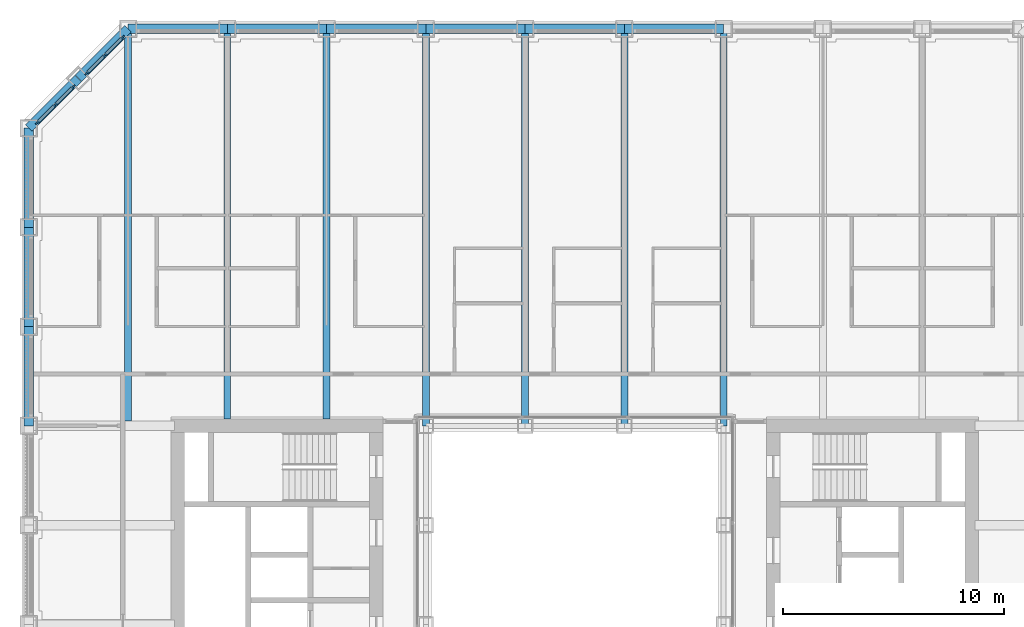
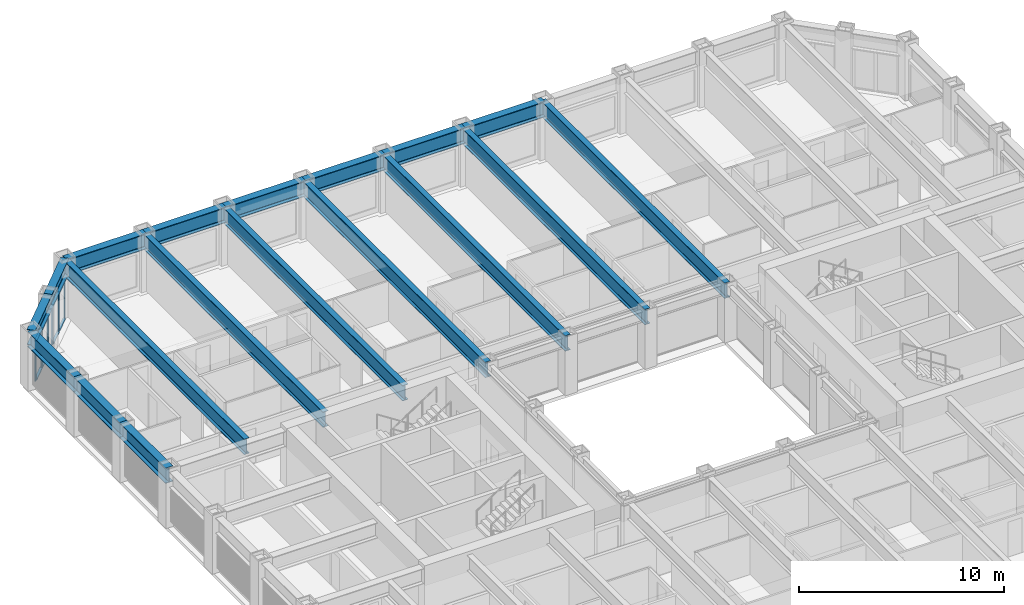
# One storey, part 6 of 21: 18 beams, 14 members, 2 elements without a shape of their own.
"""IFC4 building model written with IfcOpenShell, lengths in metres."""

from ifc_helpers import new_model, si_unit, direction, frame, origin, origin_2d, place, context, subcontext, project, spatial, rectangle, i_section, extrude, material, material_profile, profile_set, type_object, element, aggregate, save


model = new_model("IFC4")

# Units and contexts
model_context = context("Model", 3, precision=1e-05, world=origin(), true_north=direction((0.0, 1.0)))
body_context = subcontext(model_context, "Body", "Model", "MODEL_VIEW")
ifc_project = project(units=[si_unit("LENGTHUNIT", "METRE"), si_unit("AREAUNIT", "SQUARE_METRE"), si_unit("VOLUMEUNIT", "CUBIC_METRE"), si_unit("PLANEANGLEUNIT", "RADIAN"), si_unit("MASSUNIT", "GRAM", prefix="KILO")], contexts=[model_context])

# Site, building, storey
site_placement = place(None, origin())
site = spatial("IfcSite", under=ifc_project, at=site_placement, CompositionType="ELEMENT")
building_placement = place(site_placement, origin())
building = spatial("IfcBuilding", under=site, at=building_placement, Name="Msasa Ring Tower", CompositionType="ELEMENT")
storey_placement = place(building_placement, frame((0.0, 0.0, 44.0)))
storey = spatial("IfcBuildingStorey", under=building, at=storey_placement, Name="L10", CompositionType="ELEMENT", Elevation=44.0)

# Curtain wall, members
ifc_material_1 = material(Name="Aluminium curtain wall with clear glass", Category="aluminium")
curtain_wall_type = type_object("IfcCurtainWallType", Name="CW-C CHAMFER CORNER CURTAIN WALL", PredefinedType="NOTDEFINED", material=ifc_material_1)
curtain_wall_1_placement = place(storey_placement, origin())
curtain_wall_1 = element("IfcCurtainWall", 1, at=curtain_wall_1_placement, inside=storey, type_object=curtain_wall_type, Name="Chamfer corner curtain wall NW L10", PredefinedType="NOTDEFINED")
ifc_material_2 = material(Name="Aluminium mullion", Category="aluminium")
ifc_material_profile_1 = material_profile(ifc_material_2, rectangle(XDim=0.06494140625, YDim=0.179931640625, at=origin_2d()), Name="AL 65x180")
ifc_profile_set_1 = profile_set([ifc_material_profile_1], Name="Aluminium mullion")
member_type_1 = type_object("IfcMemberType", Name="CW-C MULLION 65x180", PredefinedType="MULLION", material=ifc_profile_set_1)
member_1_placement = place(storey_placement, frame((-22.73876953125, 22.119873046875, 0.0), z_axis=(0.0, 0.0, 1.0), x_axis=(0.707106781187, -0.707106781187, 0.0)))
member_1 = element("IfcMember", 2, at=member_1_placement, type_object=member_type_1, Name="CW-C mullion 1", PredefinedType="MULLION", context=body_context, shape_type="SweptSolid", body=[
    extrude(rectangle(XDim=0.06494140625, YDim=0.179931640625, at=origin_2d()), origin(), (0.0, 0.0, 1.0), 2.37890625),
])
member_2_placement = place(storey_placement, frame((-23.55419921875, 21.30419921875, 0.0), z_axis=(0.0, 0.0, 1.0), x_axis=(0.707106781187, -0.707106781187, 0.0)))
member_2 = element("IfcMember", 3, at=member_2_placement, type_object=member_type_1, Name="CW-C mullion 2", PredefinedType="MULLION", context=body_context, shape_type="SweptSolid", body=[
    extrude(rectangle(XDim=0.06494140625, YDim=0.179931640625, at=origin_2d()), origin(), (0.0, 0.0, 1.0), 2.37890625),
])
member_3_placement = place(storey_placement, frame((-24.369873046875, 20.48876953125, 0.0), z_axis=(0.0, 0.0, 1.0), x_axis=(0.707106781187, -0.707106781187, 0.0)))
member_3 = element("IfcMember", 4, at=member_3_placement, type_object=member_type_1, Name="CW-C mullion 3", PredefinedType="MULLION", context=body_context, shape_type="SweptSolid", body=[
    extrude(rectangle(XDim=0.06494140625, YDim=0.179931640625, at=origin_2d()), origin(), (0.0, 0.0, 1.0), 2.37890625),
])

curtain_wall_2_placement = place(storey_placement, origin())
curtain_wall_2 = element("IfcCurtainWall", 5, at=curtain_wall_2_placement, inside=storey, type_object=curtain_wall_type, Name="Chamfer corner curtain wall NW L10", PredefinedType="NOTDEFINED")
member_4_placement = place(storey_placement, frame((-20.48876953125, 24.369873046875, 0.0), z_axis=(0.0, 0.0, 1.0), x_axis=(0.707106781187, -0.707106781187, 0.0)))
member_4 = element("IfcMember", 6, at=member_4_placement, type_object=member_type_1, Name="CW-C mullion 1", PredefinedType="MULLION", context=body_context, shape_type="SweptSolid", body=[
    extrude(rectangle(XDim=0.06494140625, YDim=0.179931640625, at=origin_2d()), origin(), (0.0, 0.0, 1.0), 2.37890625),
])
member_5_placement = place(storey_placement, frame((-21.30419921875, 23.55419921875, 0.0), z_axis=(0.0, 0.0, 1.0), x_axis=(0.707106781187, -0.707106781187, 0.0)))
member_5 = element("IfcMember", 7, at=member_5_placement, type_object=member_type_1, Name="CW-C mullion 2", PredefinedType="MULLION", context=body_context, shape_type="SweptSolid", body=[
    extrude(rectangle(XDim=0.06494140625, YDim=0.179931640625, at=origin_2d()), origin(), (0.0, 0.0, 1.0), 2.37890625),
])
member_6_placement = place(storey_placement, frame((-22.119873046875, 22.73876953125, 0.0), z_axis=(0.0, 0.0, 1.0), x_axis=(0.707106781187, -0.707106781187, 0.0)))
member_6 = element("IfcMember", 8, at=member_6_placement, type_object=member_type_1, Name="CW-C mullion 3", PredefinedType="MULLION", context=body_context, shape_type="SweptSolid", body=[
    extrude(rectangle(XDim=0.06494140625, YDim=0.179931640625, at=origin_2d()), origin(), (0.0, 0.0, 1.0), 2.37890625),
])

# Member
ifc_material_3 = material(Name="Aluminium transom", Category="aluminium")
ifc_material_profile_2 = material_profile(ifc_material_3, rectangle(XDim=0.139892578125, YDim=0.06494140625, at=origin_2d()), Name="AL 65x140")
ifc_profile_set_2 = profile_set([ifc_material_profile_2], Name="Aluminium transom")
member_type_2 = type_object("IfcMemberType", Name="CW-C TRANSOM 65x140", PredefinedType="USERDEFINED", material=ifc_profile_set_2)
member_7_placement = place(storey_placement, frame((-22.76171875, 22.096923828125, 0.032470703125), z_axis=(-0.707106781187, -0.707106781187, 0.0), x_axis=(0.707106781187, -0.707106781187, 0.0)))
member_7 = element("IfcMember", 9, at=member_7_placement, type_object=member_type_2, Name="CW-C transom 1.1", ObjectType="TRANSOM", PredefinedType="USERDEFINED", context=body_context, shape_type="SweptSolid", body=[
    extrude(rectangle(XDim=0.139892578125, YDim=0.06494140625, at=origin_2d()), origin(), (0.0, 0.0, 1.0), 1.08837890625),
])

member_8_placement = place(storey_placement, frame((-22.76171875, 22.096923828125, 2.346435546875), z_axis=(-0.707106781187, -0.707106781187, 0.0), x_axis=(0.707106781187, -0.707106781187, 0.0)))
member_8 = element("IfcMember", 10, at=member_8_placement, type_object=member_type_2, Name="CW-C transom 1.2", ObjectType="TRANSOM", PredefinedType="USERDEFINED", context=body_context, shape_type="SweptSolid", body=[
    extrude(rectangle(XDim=0.139892578125, YDim=0.06494140625, at=origin_2d()), origin(), (0.0, 0.0, 1.0), 1.08837890625),
])

member_9_placement = place(storey_placement, frame((-23.577392578125, 21.28125, 0.032470703125), z_axis=(-0.707106781187, -0.707106781187, 0.0), x_axis=(0.707106781187, -0.707106781187, 0.0)))
member_9 = element("IfcMember", 11, at=member_9_placement, type_object=member_type_2, Name="CW-C transom 2.1", ObjectType="TRANSOM", PredefinedType="USERDEFINED", context=body_context, shape_type="SweptSolid", body=[
    extrude(rectangle(XDim=0.139892578125, YDim=0.06494140625, at=origin_2d()), origin(), (0.0, 0.0, 1.0), 1.08837890625),
])

member_10_placement = place(storey_placement, frame((-23.577392578125, 21.28125, 2.346435546875), z_axis=(-0.707106781187, -0.707106781187, 0.0), x_axis=(0.707106781187, -0.707106781187, 0.0)))
member_10 = element("IfcMember", 12, at=member_10_placement, type_object=member_type_2, Name="CW-C transom 2.2", ObjectType="TRANSOM", PredefinedType="USERDEFINED", context=body_context, shape_type="SweptSolid", body=[
    extrude(rectangle(XDim=0.139892578125, YDim=0.06494140625, at=origin_2d()), origin(), (0.0, 0.0, 1.0), 1.08837890625),
])

aggregate(curtain_wall_1, [member_1, member_2, member_3, member_7, member_8, member_9, member_10])

member_11_placement = place(storey_placement, frame((-20.51171875, 24.346923828125, 0.032470703125), z_axis=(-0.707106781187, -0.707106781187, 0.0), x_axis=(0.707106781187, -0.707106781187, 0.0)))
member_11 = element("IfcMember", 13, at=member_11_placement, type_object=member_type_2, Name="CW-C transom 1.1", ObjectType="TRANSOM", PredefinedType="USERDEFINED", context=body_context, shape_type="SweptSolid", body=[
    extrude(rectangle(XDim=0.139892578125, YDim=0.06494140625, at=origin_2d()), origin(), (0.0, 0.0, 1.0), 1.08837890625),
])

member_12_placement = place(storey_placement, frame((-20.51171875, 24.346923828125, 2.346435546875), z_axis=(-0.707106781187, -0.707106781187, 0.0), x_axis=(0.707106781187, -0.707106781187, 0.0)))
member_12 = element("IfcMember", 14, at=member_12_placement, type_object=member_type_2, Name="CW-C transom 1.2", ObjectType="TRANSOM", PredefinedType="USERDEFINED", context=body_context, shape_type="SweptSolid", body=[
    extrude(rectangle(XDim=0.139892578125, YDim=0.06494140625, at=origin_2d()), origin(), (0.0, 0.0, 1.0), 1.08837890625),
])

member_13_placement = place(storey_placement, frame((-21.327392578125, 23.53125, 0.032470703125), z_axis=(-0.707106781187, -0.707106781187, 0.0), x_axis=(0.707106781187, -0.707106781187, 0.0)))
member_13 = element("IfcMember", 15, at=member_13_placement, type_object=member_type_2, Name="CW-C transom 2.1", ObjectType="TRANSOM", PredefinedType="USERDEFINED", context=body_context, shape_type="SweptSolid", body=[
    extrude(rectangle(XDim=0.139892578125, YDim=0.06494140625, at=origin_2d()), origin(), (0.0, 0.0, 1.0), 1.08837890625),
])

member_14_placement = place(storey_placement, frame((-21.327392578125, 23.53125, 2.346435546875), z_axis=(-0.707106781187, -0.707106781187, 0.0), x_axis=(0.707106781187, -0.707106781187, 0.0)))
member_14 = element("IfcMember", 16, at=member_14_placement, type_object=member_type_2, Name="CW-C transom 2.2", ObjectType="TRANSOM", PredefinedType="USERDEFINED", context=body_context, shape_type="SweptSolid", body=[
    extrude(rectangle(XDim=0.139892578125, YDim=0.06494140625, at=origin_2d()), origin(), (0.0, 0.0, 1.0), 1.08837890625),
])

aggregate(curtain_wall_2, [member_4, member_5, member_6, member_11, member_12, member_13, member_14])

# Beams
ifc_material_4 = material(Name="Steel S355", Category="steel")
ifc_material_profile_3 = material_profile(ifc_material_4, i_section(OverallWidth=0.3076171875, OverallDepth=0.926513671875, WebThickness=0.01953125, FlangeThickness=0.031982421875, FilletRadius=0.01904296875, at=origin_2d()), Name="UB 914x305x289")
ifc_profile_set_3 = profile_set([ifc_material_profile_3], Name="Steel S355")
beam_type_1 = type_object("IfcBeamType", Name="FB3 UB 914x305x289", PredefinedType="BEAM", material=ifc_profile_set_3)
beam_placement = place(storey_placement, frame((-20.25, 24.75, 2.836669921875), z_axis=(0.0, -1.0, 0.0), x_axis=(1.0, 0.0, 0.0)))
element("IfcBeam", 17, at=beam_placement, inside=storey, type_object=beam_type_1, Name="Floor beam N-20.25 under L11", PredefinedType="BEAM", context=body_context, shape_type="SweptSolid", body=[
    extrude(i_section(OverallWidth=0.3076171875, OverallDepth=0.926513671875, WebThickness=0.01953125, FlangeThickness=0.031982421875, FilletRadius=0.01904296875, at=origin_2d()), origin(), (0.0, 0.0, 1.0), 17.789794921875),
])
for number, where, z_axis, x_axis, name in (
    (18, (-15.75, 24.75, 2.836669921875), (0.0, -1.0, 0.0), (1.0, 0.0, 0.0), "Floor beam N-15.75 under L11"),
    (19, (-11.25, 24.75, 2.836669921875), (0.0, -1.0, 0.0), (1.0, 0.0, 0.0), "Floor beam N-11.25 under L11"),
):
    element("IfcBeam", number, at=place(storey_placement, frame(where, z_axis=z_axis, x_axis=x_axis)), inside=storey, type_object=beam_type_1, Name=name, PredefinedType="BEAM", context=body_context, shape_type="SweptSolid", body=[
        extrude(i_section(OverallWidth=0.3076171875, OverallDepth=0.926513671875, WebThickness=0.01953125, FlangeThickness=0.031982421875, FilletRadius=0.01904296875, at=origin_2d()), origin(), (0.0, 0.0, 1.0), 17.699951171875),
    ])
for number, where, z_axis, x_axis, name in (
    (20, (-6.75, 24.75, 2.836669921875), (0.0, -1.0, 0.0), (1.0, 0.0, 0.0), "Floor beam N-6.75 under L11"),
    (21, (-2.25, 24.75, 2.836669921875), (0.0, -1.0, 0.0), (1.0, 0.0, 0.0), "Floor beam N-2.25 under L11"),
    (22, (2.25, 24.75, 2.836669921875), (0.0, -1.0, 0.0), (1.0, 0.0, 0.0), "Floor beam N+2.25 under L11"),
    (23, (6.75, 24.75, 2.836669921875), (0.0, -1.0, 0.0), (1.0, 0.0, 0.0), "Floor beam N+6.75 under L11"),
):
    element("IfcBeam", number, at=place(storey_placement, frame(where, z_axis=z_axis, x_axis=x_axis)), inside=storey, type_object=beam_type_1, Name=name, PredefinedType="BEAM", context=body_context, shape_type="SweptSolid", body=[
        extrude(i_section(OverallWidth=0.3076171875, OverallDepth=0.926513671875, WebThickness=0.01953125, FlangeThickness=0.031982421875, FilletRadius=0.01904296875, at=origin_2d()), origin(), (0.0, 0.0, 1.0), 18.0),
    ])
ifc_material_5 = material(Name="Steel S355", Category="steel")
ifc_material_profile_4 = material_profile(ifc_material_5, i_section(OverallWidth=0.42041015625, OverallDepth=0.9208984375, WebThickness=0.021484375, FlangeThickness=0.03662109375, FilletRadius=0.024169921875, at=origin_2d()), Name="UB 914x419x388")
ifc_profile_set_4 = profile_set([ifc_material_profile_4], Name="Steel S355")
beam_type_2 = type_object("IfcBeamType", Name="SB1 UB 914x419x388", PredefinedType="SPANDREL", material=ifc_profile_set_4)
for number, where, z_axis, x_axis, name in (
    (24, (6.75, 24.75, 2.839599609375), (-1.0, 0.0, 0.0), (0.0, -1.0, 0.0), "Spandrel N+6.75 to N+2.25 under L11"),
    (25, (2.25, 24.75, 2.839599609375), (-1.0, 0.0, 0.0), (0.0, -1.0, 0.0), "Spandrel N+2.25 to N-2.25 under L11"),
    (26, (-2.25, 24.75, 2.839599609375), (-1.0, 0.0, 0.0), (0.0, -1.0, 0.0), "Spandrel N-2.25 to N-6.75 under L11"),
    (27, (-6.75, 24.75, 2.839599609375), (-1.0, 0.0, 0.0), (0.0, -1.0, 0.0), "Spandrel N-6.75 to N-11.25 under L11"),
    (28, (-11.25, 24.75, 2.839599609375), (-1.0, 0.0, 0.0), (0.0, -1.0, 0.0), "Spandrel N-11.25 to N-15.75 under L11"),
    (29, (-15.75, 24.75, 2.839599609375), (-1.0, 0.0, 0.0), (0.0, -1.0, 0.0), "Spandrel N-15.75 to N-20.25 under L11"),
):
    element("IfcBeam", number, at=place(storey_placement, frame(where, z_axis=z_axis, x_axis=x_axis)), inside=storey, type_object=beam_type_2, Name=name, PredefinedType="SPANDREL", context=body_context, shape_type="SweptSolid", body=[
        extrude(i_section(OverallWidth=0.42041015625, OverallDepth=0.9208984375, WebThickness=0.021484375, FlangeThickness=0.03662109375, FilletRadius=0.024169921875, at=origin_2d()), origin(), (0.0, 0.0, 1.0), 4.5),
    ])
for number, where, z_axis, x_axis, name in (
    (30, (-20.25, 24.75, 2.839599609375), (-0.707106781187, -0.707106781187, 0.0), (0.707106781187, -0.707106781187, 0.0), "Spandrel N-20.25 to NW under L11"),
    (31, (-22.5, 22.5, 2.839599609375), (-0.707106781187, -0.707106781187, 0.0), (0.707106781187, -0.707106781187, 0.0), "Spandrel NW to W+20.25 under L11"),
):
    element("IfcBeam", number, at=place(storey_placement, frame(where, z_axis=z_axis, x_axis=x_axis)), inside=storey, type_object=beam_type_2, Name=name, PredefinedType="SPANDREL", context=body_context, shape_type="SweptSolid", body=[
        extrude(i_section(OverallWidth=0.42041015625, OverallDepth=0.9208984375, WebThickness=0.021484375, FlangeThickness=0.03662109375, FilletRadius=0.024169921875, at=origin_2d()), origin(), (0.0, 0.0, 1.0), 3.181884765625),
    ])
for number, where, z_axis, x_axis, name in (
    (32, (-24.75, 20.25, 2.839599609375), (0.0, -1.0, 0.0), (1.0, 0.0, 0.0), "Spandrel W+20.25 to W+15.75 under L11"),
    (33, (-24.75, 15.75, 2.839599609375), (0.0, -1.0, 0.0), (1.0, 0.0, 0.0), "Spandrel W+15.75 to W+11.25 under L11"),
    (34, (-24.75, 11.25, 2.839599609375), (0.0, -1.0, 0.0), (1.0, 0.0, 0.0), "Spandrel W+11.25 to W+6.75 under L11"),
):
    element("IfcBeam", number, at=place(storey_placement, frame(where, z_axis=z_axis, x_axis=x_axis)), inside=storey, type_object=beam_type_2, Name=name, PredefinedType="SPANDREL", context=body_context, shape_type="SweptSolid", body=[
        extrude(i_section(OverallWidth=0.42041015625, OverallDepth=0.9208984375, WebThickness=0.021484375, FlangeThickness=0.03662109375, FilletRadius=0.024169921875, at=origin_2d()), origin(), (0.0, 0.0, 1.0), 4.5),
    ])

save(model, "model.ifc")
